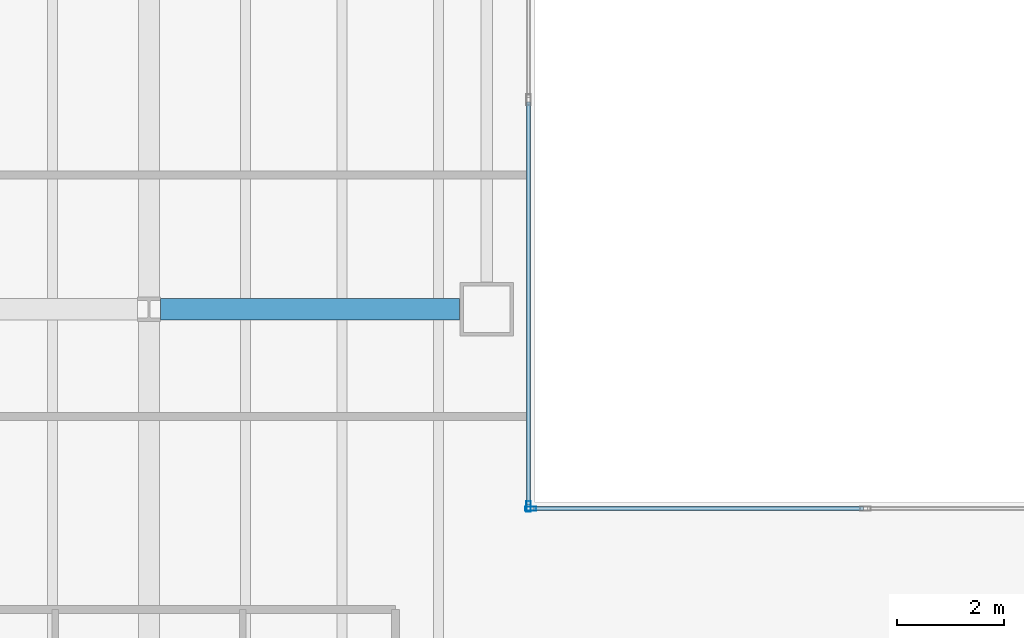
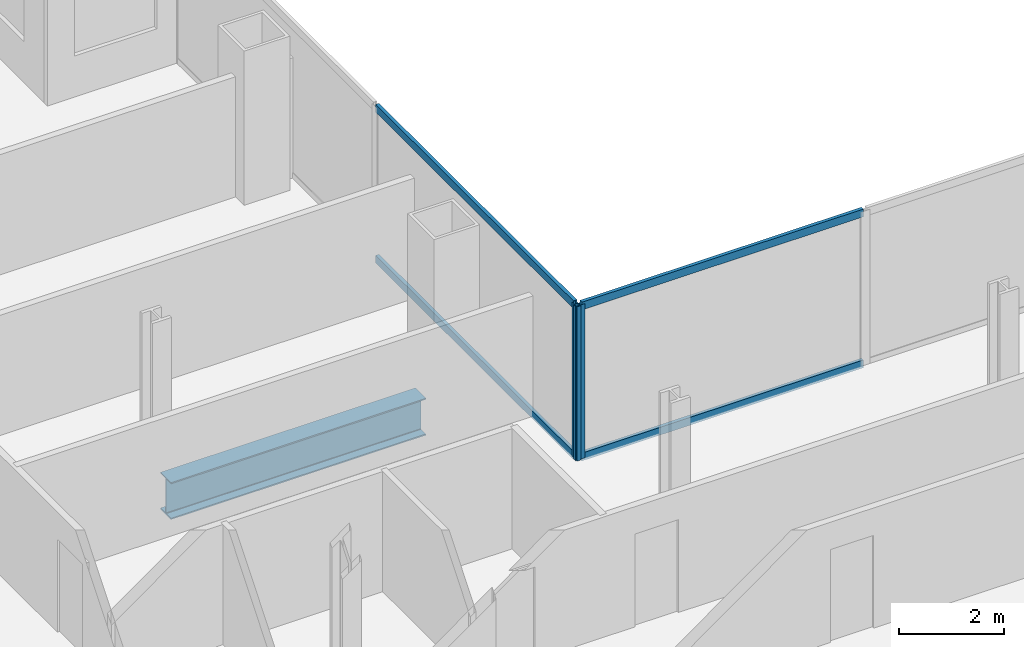
# One storey, part 6 of 23: 6 members, 1 beam, 2 elements without a shape of their own.
"""IFC4 building model written with IfcOpenShell, lengths in metres."""

from ifc_helpers import new_model, si_unit, direction, frame, origin, origin_2d, place, context, subcontext, project, spatial, hollow_rectangle, i_section, extrude, material, material_profile, profile_set, type_object, element, aggregate, save


model = new_model("IFC4")

# Units and contexts
model_context = context("Model", 3, precision=1e-05, world=origin(), true_north=direction((0.0, 1.0)))
body_context = subcontext(model_context, "Body", "Model", "MODEL_VIEW")
ifc_project = project(units=[si_unit("LENGTHUNIT", "METRE"), si_unit("AREAUNIT", "SQUARE_METRE"), si_unit("VOLUMEUNIT", "CUBIC_METRE"), si_unit("PLANEANGLEUNIT", "RADIAN"), si_unit("MASSUNIT", "GRAM", prefix="KILO")], contexts=[model_context])

# Site, building, storey
site_placement = place(None, origin())
site = spatial("IfcSite", under=ifc_project, at=site_placement, CompositionType="ELEMENT")
building_placement = place(site_placement, origin())
building = spatial("IfcBuilding", under=site, at=building_placement, Name="Cobrela Telecom Tower", CompositionType="ELEMENT")
storey_placement = place(building_placement, frame((0.0, 0.0, 73.5)))
storey = spatial("IfcBuildingStorey", under=building, at=storey_placement, Name="L18", CompositionType="ELEMENT", Elevation=73.5)

# Beam
ifc_material_1 = material(Name="Steel ASTM A992 Grade 50", Category="steel")
ifc_material_profile_1 = material_profile(ifc_material_1, i_section(OverallWidth=0.39892578125, OverallDepth=0.85595703125, WebThickness=0.018310546875, FlangeThickness=0.029296875, FilletRadius=0.02001953125, at=origin_2d()), Name="W33X201")
ifc_profile_set_1 = profile_set([ifc_material_profile_1], Name="Steel ASTM A992 Grade 50")
beam_type = type_object("IfcBeamType", Name="BM-GIRD-03", PredefinedType="USERDEFINED", material=ifc_profile_set_1)
beam_placement = place(storey_placement, frame((21.81591796875, 28.800048828125, -0.7080078125), z_axis=(1.0, 0.0, 0.0), x_axis=(0.0, 1.0, 0.0)))
element("IfcBeam", 1, at=beam_placement, inside=storey, type_object=beam_type, Name="L18 Primary Girder X24", ObjectType="GIRDER", PredefinedType="USERDEFINED", context=body_context, shape_type="SweptSolid", body=[
    extrude(i_section(OverallWidth=0.39892578125, OverallDepth=0.85595703125, WebThickness=0.018310546875, FlangeThickness=0.029296875, FilletRadius=0.02001953125, at=origin_2d()), origin(), (0.0, 0.0, 1.0), 5.5791015625),
])

# Curtain wall, member
ifc_material_2 = material(Name="Anodized Bronze Aluminium 6063-T6", Category="aluminium")
curtain_wall_type = type_object("IfcCurtainWallType", Name="CW-SYS-DATA", PredefinedType="USERDEFINED", material=ifc_material_2)
curtain_wall_1_placement = place(storey_placement, origin())
curtain_wall_1 = element("IfcCurtainWall", 2, at=curtain_wall_1_placement, inside=storey, type_object=curtain_wall_type, Name="L18 Unitised Bronze Curtain Wall 10", ObjectType="UNITISED CURTAIN WALL", PredefinedType="USERDEFINED")
ifc_material_profile_2 = material_profile(ifc_material_2, hollow_rectangle(XDim=0.080078125, YDim=0.199951171875, WallThickness=0.00390625, at=origin_2d()), Name="ALU 80x200x4")
ifc_profile_set_2 = profile_set([ifc_material_profile_2], Name="Anodized Bronze Aluminium 6063-T6")
member_type_1 = type_object("IfcMemberType", Name="CW-SYS-DATA-MUL", PredefinedType="MULLION", material=ifc_profile_set_2)
member_1_placement = place(storey_placement, frame((28.679931640625, 25.1201171875, 0.0), z_axis=(0.0, 0.0, 1.0), x_axis=(1.0, 0.0, 0.0)))
member_1 = element("IfcMember", 3, at=member_1_placement, type_object=member_type_1, Name="CW-DATA mullion 3", PredefinedType="MULLION", context=body_context, shape_type="SweptSolid", body=[
    extrude(hollow_rectangle(XDim=0.080078125, YDim=0.199951171875, WallThickness=0.00390625, at=origin_2d()), origin(), (0.0, 0.0, 1.0), 3.570068359375),
])

curtain_wall_2_placement = place(storey_placement, origin())
curtain_wall_2 = element("IfcCurtainWall", 4, at=curtain_wall_2_placement, inside=storey, type_object=curtain_wall_type, Name="L18 Unitised Bronze Curtain Wall 11", ObjectType="UNITISED CURTAIN WALL", PredefinedType="USERDEFINED")
member_2_placement = place(storey_placement, frame((28.719970703125, 25.080078125, 0.0), z_axis=(0.0, 0.0, 1.0), x_axis=(0.0, 1.0, 0.0)))
member_2 = element("IfcMember", 5, at=member_2_placement, type_object=member_type_1, Name="CW-DATA mullion 1", PredefinedType="MULLION", context=body_context, shape_type="SweptSolid", body=[
    extrude(hollow_rectangle(XDim=0.080078125, YDim=0.199951171875, WallThickness=0.00390625, at=origin_2d()), origin(), (0.0, 0.0, 1.0), 3.570068359375),
])

# Member
ifc_material_profile_3 = material_profile(ifc_material_2, hollow_rectangle(XDim=0.074951171875, YDim=0.179931640625, WallThickness=0.00390625, at=origin_2d()), Name="ALU 75x180x4")
ifc_profile_set_3 = profile_set([ifc_material_profile_3], Name="Anodized Bronze Aluminium 6063-T6")
member_type_2 = type_object("IfcMemberType", Name="CW-SYS-DATA-TRN", PredefinedType="USERDEFINED", material=ifc_profile_set_3)
member_3_placement = place(storey_placement, frame((28.679931640625, 32.6650390625, 0.03759765625), z_axis=(0.0, -1.0, 0.0), x_axis=(1.0, 0.0, 0.0)))
member_3 = element("IfcMember", 6, at=member_3_placement, type_object=member_type_2, Name="CW-DATA transom 2.1", ObjectType="TRANSOM", PredefinedType="USERDEFINED", context=body_context, shape_type="SweptSolid", body=[
    extrude(hollow_rectangle(XDim=0.074951171875, YDim=0.179931640625, WallThickness=0.00390625, at=origin_2d()), origin(), (0.0, 0.0, 1.0), 7.505126953125),
])

member_4_placement = place(storey_placement, frame((28.679931640625, 32.6650390625, 3.532470703125), z_axis=(0.0, -1.0, 0.0), x_axis=(1.0, 0.0, 0.0)))
member_4 = element("IfcMember", 7, at=member_4_placement, type_object=member_type_2, Name="CW-DATA transom 2.2", ObjectType="TRANSOM", PredefinedType="USERDEFINED", context=body_context, shape_type="SweptSolid", body=[
    extrude(hollow_rectangle(XDim=0.074951171875, YDim=0.179931640625, WallThickness=0.00390625, at=origin_2d()), origin(), (0.0, 0.0, 1.0), 7.505126953125),
])

aggregate(curtain_wall_1, [member_1, member_3, member_4])

member_5_placement = place(storey_placement, frame((28.760009765625, 25.080078125, 0.03759765625), z_axis=(1.0, 0.0, 0.0), x_axis=(0.0, 1.0, 0.0)))
member_5 = element("IfcMember", 8, at=member_5_placement, type_object=member_type_2, Name="CW-DATA transom 1.1", ObjectType="TRANSOM", PredefinedType="USERDEFINED", context=body_context, shape_type="SweptSolid", body=[
    extrude(hollow_rectangle(XDim=0.074951171875, YDim=0.179931640625, WallThickness=0.00390625, at=origin_2d()), origin(), (0.0, 0.0, 1.0), 6.163330078125),
])

member_6_placement = place(storey_placement, frame((28.760009765625, 25.080078125, 3.532470703125), z_axis=(1.0, 0.0, 0.0), x_axis=(0.0, 1.0, 0.0)))
member_6 = element("IfcMember", 9, at=member_6_placement, type_object=member_type_2, Name="CW-DATA transom 1.2", ObjectType="TRANSOM", PredefinedType="USERDEFINED", context=body_context, shape_type="SweptSolid", body=[
    extrude(hollow_rectangle(XDim=0.074951171875, YDim=0.179931640625, WallThickness=0.00390625, at=origin_2d()), origin(), (0.0, 0.0, 1.0), 6.163330078125),
])

aggregate(curtain_wall_2, [member_2, member_5, member_6])

save(model, "model.ifc")
